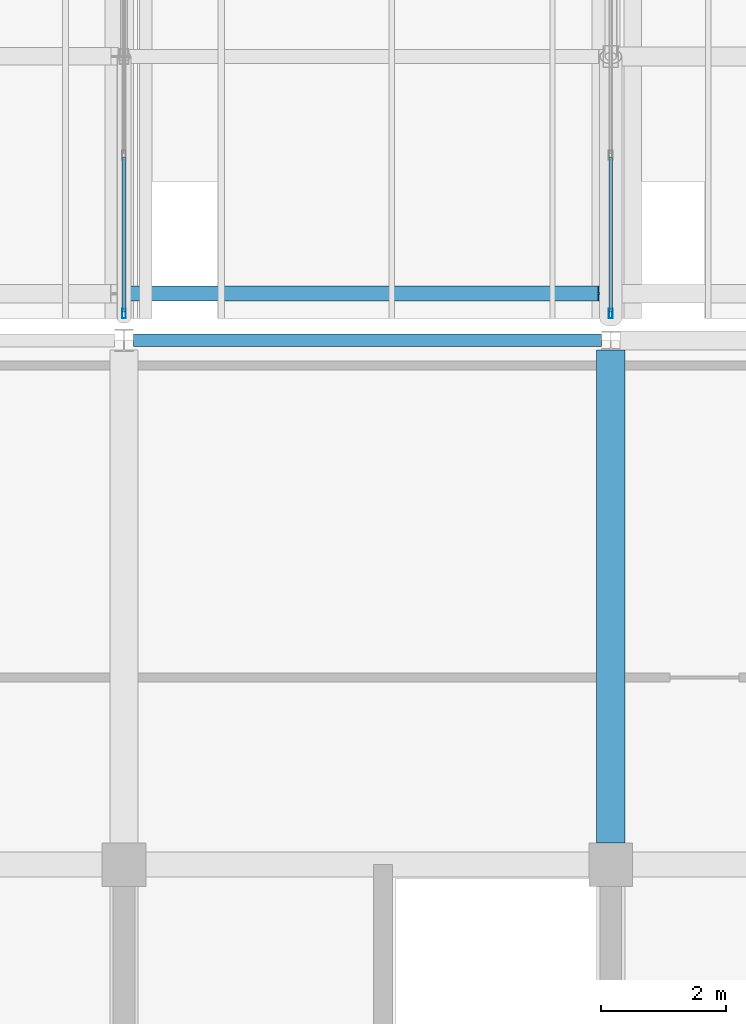
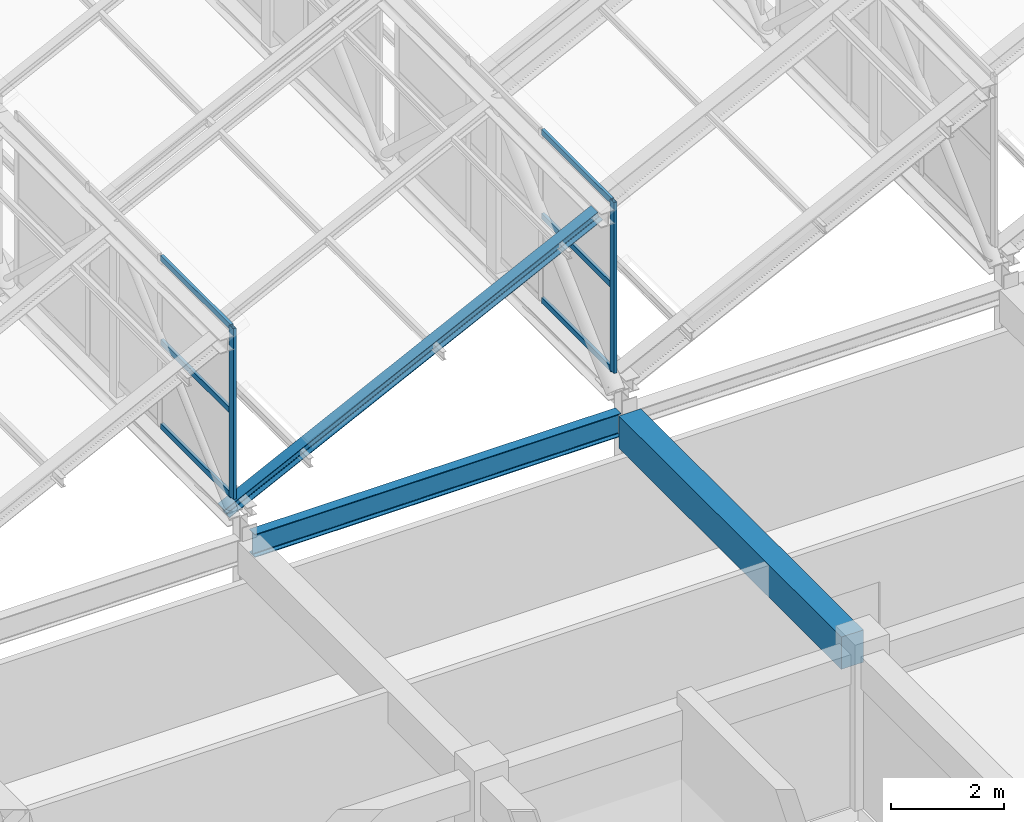
# One storey, part 12 of 101: 9 members, 2 beams, 2 elements without a shape of their own.
"""IFC4 building model written with IfcOpenShell, lengths in metres."""

from ifc_helpers import new_model, si_unit, direction, frame, origin, origin_2d, place, context, subcontext, project, spatial, rectangle, hollow_rectangle, i_section, extrude, material, layer, layer_set, material_profile, profile_set, type_object, element, aggregate, save


model = new_model("IFC4")

# Units and contexts
model_context = context("Model", 3, precision=1e-05, world=origin(), true_north=direction((0.0, 1.0)))
body_context = subcontext(model_context, "Body", "Model", "MODEL_VIEW")
ifc_project = project(units=[si_unit("LENGTHUNIT", "METRE"), si_unit("AREAUNIT", "SQUARE_METRE"), si_unit("VOLUMEUNIT", "CUBIC_METRE"), si_unit("PLANEANGLEUNIT", "RADIAN"), si_unit("MASSUNIT", "GRAM", prefix="KILO")], contexts=[model_context])

# Site, building, storey
site_placement = place(None, origin())
site = spatial("IfcSite", under=ifc_project, at=site_placement, CompositionType="ELEMENT")
building_placement = place(site_placement, origin())
building = spatial("IfcBuilding", under=site, at=building_placement, Name="Zizhar Promenade General Hospital", CompositionType="ELEMENT")
storey_placement = place(building_placement, frame((0.0, 0.0, 14.39990234375)))
storey = spatial("IfcBuildingStorey", under=building, at=storey_placement, Name="L03", CompositionType="ELEMENT", Elevation=14.39990234375)

# Beams
ifc_material_1 = material(Name="Concrete C35/45", Category="concrete")
ifc_material_profile_1 = material_profile(ifc_material_1, rectangle(XDim=0.449951171875, YDim=0.699951171875, at=origin_2d()))
ifc_profile_set_1 = profile_set([ifc_material_profile_1], Name="Concrete C35/45")
beam_type_1 = type_object("IfcBeamType", Name="BM-RC-450x700", PredefinedType="BEAM", material=ifc_profile_set_1)
beam_1_placement = place(storey_placement, frame((101.39990234375, 17.14990234375, 2.960205078125), z_axis=(0.0, 1.0, 0.0), x_axis=(-1.0, 0.0, 0.0)))
element("IfcBeam", 1, at=beam_1_placement, inside=storey, type_object=beam_type_1, Name="Grid Beam Y L03 (13-2)", PredefinedType="BEAM", context=body_context, shape_type="SweptSolid", body=[
    extrude(rectangle(XDim=0.449951171875, YDim=0.699951171875, at=origin_2d()), origin(), (0.0, 0.0, 1.0), 7.900146484375),
])
ifc_material_2 = material(Name="Steel S355", Category="steel")
ifc_material_profile_2 = material_profile(ifc_material_2, i_section(OverallWidth=0.199951171875, OverallDepth=0.5, WebThickness=0.01025390625, FlangeThickness=0.01611328125, FilletRadius=0.02099609375, at=origin_2d()))
ifc_profile_set_2 = profile_set([ifc_material_profile_2], Name="Steel S355")
beam_type_2 = type_object("IfcBeamType", Name="BM-STL-IPE500", PredefinedType="BEAM", material=ifc_profile_set_2)
beam_2_placement = place(storey_placement, frame((93.75, 25.199951171875, 3.06005859375), z_axis=(1.0, 0.0, 0.0), x_axis=(0.0, 1.0, 0.0)))
element("IfcBeam", 2, at=beam_2_placement, inside=storey, type_object=beam_type_2, Name="Grid Beam X L03 (12-3)", PredefinedType="BEAM", context=body_context, shape_type="SweptSolid", body=[
    extrude(i_section(OverallWidth=0.199951171875, OverallDepth=0.5, WebThickness=0.01025390625, FlangeThickness=0.01611328125, FilletRadius=0.02099609375, at=origin_2d()), origin(), (0.0, 0.0, 1.0), 7.5),
])

# Curtain wall, member
ifc_material_3 = material(Name="Anodised aluminium 6063-T6 and low-E glass", Category="aluminium")
ifc_layer = layer(ifc_material_3, 0.159912109375)
ifc_layer_set = layer_set([ifc_layer], Name="Anodised aluminium 6063-T6 and low-E glass")
curtain_wall_type = type_object("IfcCurtainWallType", Name="CW-SAW-NL1", PredefinedType="NOTDEFINED", material=ifc_layer_set)
curtain_wall_1_placement = place(storey_placement, origin())
curtain_wall_1 = element("IfcCurtainWall", 3, at=curtain_wall_1_placement, inside=storey, type_object=curtain_wall_type, Name="Sawtooth Clerestory Light B3-S1", PredefinedType="NOTDEFINED")
ifc_material_4 = material(Name="Anodised aluminium 6063-T6", Category="aluminium")
ifc_material_profile_3 = material_profile(ifc_material_4, hollow_rectangle(XDim=0.06005859375, YDim=0.14990234375, WallThickness=0.00390625, at=origin_2d()))
ifc_profile_set_3 = profile_set([ifc_material_profile_3], Name="Anodised aluminium 6063-T6")
member_type_1 = type_object("IfcMemberType", Name="CWM-ALU-150x60", PredefinedType="MULLION", material=ifc_profile_set_3)
member_1_placement = place(storey_placement, frame((93.60009765625, 25.6298828125, 3.85009765625), z_axis=(0.0, 0.0, 1.0), x_axis=(-1.0, 0.0, 0.0)))
member_1 = element("IfcMember", 4, at=member_1_placement, type_object=member_type_1, Name="CW-03 mullion 1", PredefinedType="MULLION", context=body_context, shape_type="SweptSolid", body=[
    extrude(hollow_rectangle(XDim=0.06005859375, YDim=0.14990234375, WallThickness=0.00390625, at=origin_2d()), origin(), (0.0, 0.0, 1.0), 3.699951171875),
])

curtain_wall_2_placement = place(storey_placement, origin())
curtain_wall_2 = element("IfcCurtainWall", 5, at=curtain_wall_2_placement, inside=storey, type_object=curtain_wall_type, Name="Sawtooth Clerestory Light B4-S1", PredefinedType="NOTDEFINED")
member_2_placement = place(storey_placement, frame((101.39990234375, 25.6298828125, 3.85009765625), z_axis=(0.0, 0.0, 1.0), x_axis=(-1.0, 0.0, 0.0)))
member_2 = element("IfcMember", 6, at=member_2_placement, type_object=member_type_1, Name="CW-03 mullion 1", PredefinedType="MULLION", context=body_context, shape_type="SweptSolid", body=[
    extrude(hollow_rectangle(XDim=0.06005859375, YDim=0.14990234375, WallThickness=0.00390625, at=origin_2d()), origin(), (0.0, 0.0, 1.0), 3.699951171875),
])

# Member
ifc_material_5 = material(Name="Anodised aluminium 6063-T6", Category="aluminium")
ifc_material_profile_4 = material_profile(ifc_material_5, hollow_rectangle(XDim=0.06005859375, YDim=0.1201171875, WallThickness=0.00390625, at=origin_2d()))
ifc_profile_set_4 = profile_set([ifc_material_profile_4], Name="Anodised aluminium 6063-T6")
member_type_2 = type_object("IfcMemberType", Name="CWT-ALU-120x60", PredefinedType="USERDEFINED", material=ifc_profile_set_4)
member_3_placement = place(storey_placement, frame((93.60009765625, 25.659912109375, 3.880126953125), z_axis=(0.0, 1.0, 0.0), x_axis=(-1.0, 0.0, 0.0)))
member_3 = element("IfcMember", 7, at=member_3_placement, type_object=member_type_2, Name="CW-03 transom 1.1", ObjectType="TRANSOM", PredefinedType="USERDEFINED", context=body_context, shape_type="SweptSolid", body=[
    extrude(hollow_rectangle(XDim=0.06005859375, YDim=0.1201171875, WallThickness=0.00390625, at=origin_2d()), origin(), (0.0, 0.0, 1.0), 2.476806640625),
])

member_4_placement = place(storey_placement, frame((93.60009765625, 25.659912109375, 5.7001953125), z_axis=(0.0, 1.0, 0.0), x_axis=(-1.0, 0.0, 0.0)))
member_4 = element("IfcMember", 8, at=member_4_placement, type_object=member_type_2, Name="CW-03 transom 1.2", ObjectType="TRANSOM", PredefinedType="USERDEFINED", context=body_context, shape_type="SweptSolid", body=[
    extrude(hollow_rectangle(XDim=0.06005859375, YDim=0.1201171875, WallThickness=0.00390625, at=origin_2d()), origin(), (0.0, 0.0, 1.0), 2.476806640625),
])

member_5_placement = place(storey_placement, frame((93.60009765625, 25.659912109375, 7.52001953125), z_axis=(0.0, 1.0, 0.0), x_axis=(-1.0, 0.0, 0.0)))
member_5 = element("IfcMember", 9, at=member_5_placement, type_object=member_type_2, Name="CW-03 transom 1.3", ObjectType="TRANSOM", PredefinedType="USERDEFINED", context=body_context, shape_type="SweptSolid", body=[
    extrude(hollow_rectangle(XDim=0.06005859375, YDim=0.1201171875, WallThickness=0.00390625, at=origin_2d()), origin(), (0.0, 0.0, 1.0), 2.476806640625),
])

aggregate(curtain_wall_1, [member_1, member_3, member_4, member_5])

member_6_placement = place(storey_placement, frame((101.39990234375, 25.659912109375, 3.880126953125), z_axis=(0.0, 1.0, 0.0), x_axis=(-1.0, 0.0, 0.0)))
member_6 = element("IfcMember", 10, at=member_6_placement, type_object=member_type_2, Name="CW-03 transom 1.1", ObjectType="TRANSOM", PredefinedType="USERDEFINED", context=body_context, shape_type="SweptSolid", body=[
    extrude(hollow_rectangle(XDim=0.06005859375, YDim=0.1201171875, WallThickness=0.00390625, at=origin_2d()), origin(), (0.0, 0.0, 1.0), 2.476806640625),
])

member_7_placement = place(storey_placement, frame((101.39990234375, 25.659912109375, 5.7001953125), z_axis=(0.0, 1.0, 0.0), x_axis=(-1.0, 0.0, 0.0)))
member_7 = element("IfcMember", 11, at=member_7_placement, type_object=member_type_2, Name="CW-03 transom 1.2", ObjectType="TRANSOM", PredefinedType="USERDEFINED", context=body_context, shape_type="SweptSolid", body=[
    extrude(hollow_rectangle(XDim=0.06005859375, YDim=0.1201171875, WallThickness=0.00390625, at=origin_2d()), origin(), (0.0, 0.0, 1.0), 2.476806640625),
])

member_8_placement = place(storey_placement, frame((101.39990234375, 25.659912109375, 7.52001953125), z_axis=(0.0, 1.0, 0.0), x_axis=(-1.0, 0.0, 0.0)))
member_8 = element("IfcMember", 12, at=member_8_placement, type_object=member_type_2, Name="CW-03 transom 1.3", ObjectType="TRANSOM", PredefinedType="USERDEFINED", context=body_context, shape_type="SweptSolid", body=[
    extrude(hollow_rectangle(XDim=0.06005859375, YDim=0.1201171875, WallThickness=0.00390625, at=origin_2d()), origin(), (0.0, 0.0, 1.0), 2.476806640625),
])

aggregate(curtain_wall_2, [member_2, member_6, member_7, member_8])

ifc_material_6 = material(Name="Steel S355", Category="steel")
ifc_material_profile_5 = material_profile(ifc_material_6, i_section(OverallWidth=0.239990234375, OverallDepth=0.22998046875, WebThickness=0.007568359375, FlangeThickness=0.011962890625, FilletRadius=0.02099609375, at=origin_2d()))
ifc_profile_set_5 = profile_set([ifc_material_profile_5], Name="Steel S355")
member_type_3 = type_object("IfcMemberType", Name="MEM-RAFT-HEA240", PredefinedType="RAFTER", material=ifc_profile_set_5)
member_9_placement = place(storey_placement, frame((93.60009765625, 25.949951171875, 3.364990234375), z_axis=(0.896704881356, 0.0, 0.442628914276), x_axis=(0.0, 1.0, 0.0)))
element("IfcMember", 13, at=member_9_placement, inside=storey, type_object=member_type_3, Name="Sawtooth Bay 4 Rafter 1-1", PredefinedType="RAFTER", context=body_context, shape_type="SweptSolid", body=[
    extrude(i_section(OverallWidth=0.239990234375, OverallDepth=0.22998046875, WebThickness=0.007568359375, FlangeThickness=0.011962890625, FilletRadius=0.02099609375, at=origin_2d()), origin(), (0.0, 0.0, 1.0), 8.531005859375),
])

save(model, "model.ifc")
